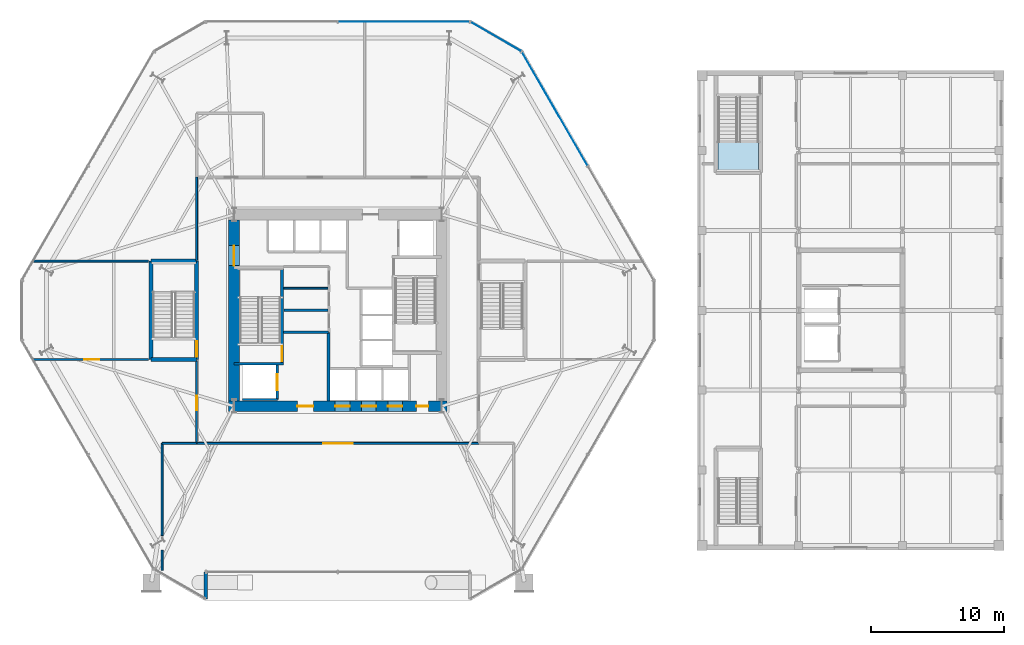
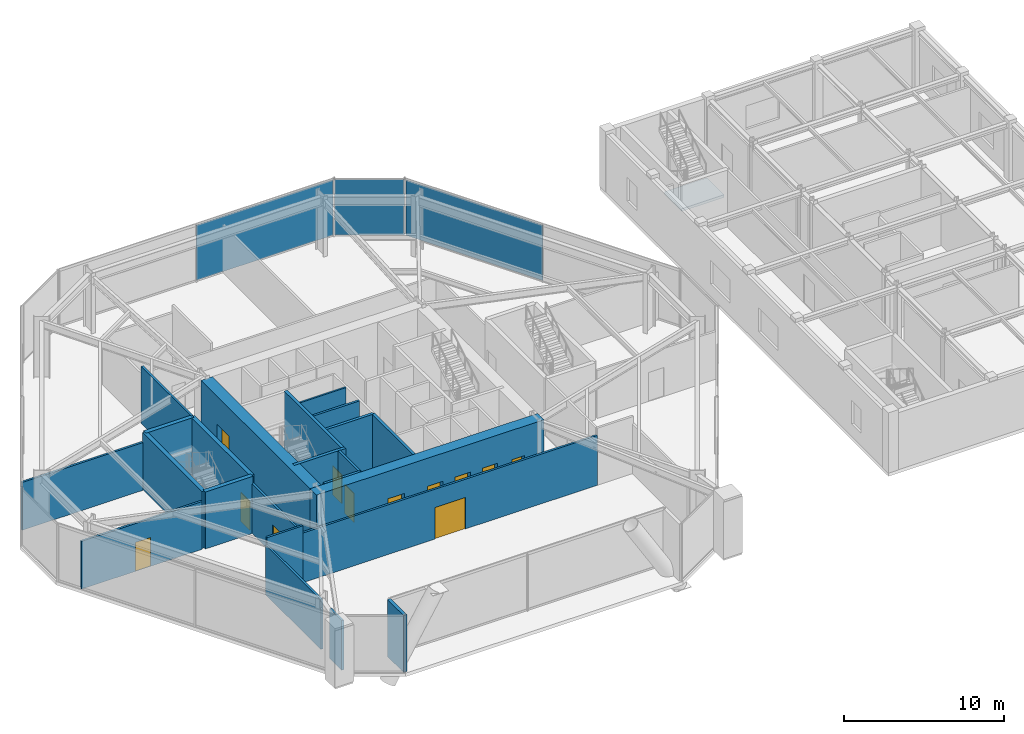
# One storey, part 15 of 23: 23 walls, 12 doors, 3 plates, 1 slab, 12 openings, 4 elements without a shape of their own.
"""IFC4 building model written with IfcOpenShell, lengths in metres."""

from ifc_helpers import new_model, si_unit, direction, frame, frame_2d, origin, origin_2d, place, context, subcontext, project, spatial, polyline, rectangle, outline, extrude, material, layer, layer_set, type_object, element, fill, aggregate, save


model = new_model("IFC4")

# Units and contexts
model_context = context("Model", 3, precision=1e-05, world=origin(), true_north=direction((0.0, 1.0)))
body_context = subcontext(model_context, "Body", "Model", "MODEL_VIEW")
ifc_project = project(units=[si_unit("LENGTHUNIT", "METRE"), si_unit("AREAUNIT", "SQUARE_METRE"), si_unit("VOLUMEUNIT", "CUBIC_METRE"), si_unit("PLANEANGLEUNIT", "RADIAN"), si_unit("MASSUNIT", "GRAM", prefix="KILO")], contexts=[model_context])

# Site, building, storey
site_placement = place(None, origin())
site = spatial("IfcSite", under=ifc_project, at=site_placement, CompositionType="ELEMENT")
building_placement = place(site_placement, origin())
building = spatial("IfcBuilding", under=site, at=building_placement, Name="Kranzbogen Civic Tower", CompositionType="ELEMENT")
storey_placement = place(building_placement, frame((0.0, 0.0, 9.800048828125)))
storey = spatial("IfcBuildingStorey", under=building, at=storey_placement, Name="L02", CompositionType="ELEMENT", Elevation=9.800048828125)

# Curtain wall, plate
ifc_material_1 = material(Name="Pale Anodised Aluminium", Category="aluminium")
ifc_layer_1 = layer(ifc_material_1, 0.219970703125, Name="Pale Anodised Aluminium")
ifc_layer_set_1 = layer_set([ifc_layer_1], Name="Pale Anodised Aluminium")
curtain_wall_type_1 = type_object("IfcCurtainWallType", Name="Chamfer Facet Stick Curtain Wall System CW-06", PredefinedType="USERDEFINED", material=ifc_layer_set_1)
curtain_wall_1_placement = place(storey_placement, origin())
curtain_wall_1 = element("IfcCurtainWall", 1, at=curtain_wall_1_placement, inside=storey, type_object=curtain_wall_type_1, Name="L02 curtain wall CW-L02-C1", ObjectType="STICK CURTAIN WALL", PredefinedType="USERDEFINED")
ifc_material_2 = material(Name="Low-E Triple Glazing Glass", Category="glass")
ifc_layer_2 = layer(ifc_material_2, 0.02587890625, Name="Low-E Triple Glazing Glass")
ifc_layer_set_2 = layer_set([ifc_layer_2], Name="Low-E Triple Glazing Glass")
plate_type_1 = type_object("IfcPlateType", Name="Insulated Low-E Glazing Panel 26 mm", PredefinedType="CURTAIN_PANEL", material=ifc_layer_set_2)
plate_1_placement = place(storey_placement, frame((36.866943359375, 45.554443359375, 0.06005859375), z_axis=(0.0, 0.0, 1.0), x_axis=(-0.865992001897, 0.500057849305, 0.0)))
plate_1 = element("IfcPlate", 2, at=plate_1_placement, type_object=plate_type_1, Name="CW-06 panel 1.1", PredefinedType="CURTAIN_PANEL", context=body_context, shape_type="SweptSolid", body=[
    extrude(rectangle(XDim=4.353515625, YDim=0.028076171875, at=origin_2d()), origin(), (0.0, 0.0, 1.0), 4.219970703125),
])
aggregate(curtain_wall_1, [plate_1])

ifc_layer_3 = layer(ifc_material_1, 0.219970703125, Name="Pale Anodised Aluminium")
ifc_layer_set_3 = layer_set([ifc_layer_3], Name="Pale Anodised Aluminium")
curtain_wall_type_2 = type_object("IfcCurtainWallType", Name="Podium Stick Curtain Wall System CW-01", PredefinedType="USERDEFINED", material=ifc_layer_set_3)
curtain_wall_2_placement = place(storey_placement, origin())
curtain_wall_2 = element("IfcCurtainWall", 3, at=curtain_wall_2_placement, inside=storey, type_object=curtain_wall_type_2, Name="L02 curtain wall CW-L02-F1", ObjectType="STICK CURTAIN WALL", PredefinedType="USERDEFINED")
ifc_layer_4 = layer(ifc_material_2, 0.035888671875, Name="Low-E Triple Glazing Glass")
ifc_layer_set_4 = layer_set([ifc_layer_4], Name="Low-E Triple Glazing Glass")
plate_type_2 = type_object("IfcPlateType", Name="Insulated Low-E Glazing Panel 36 mm", PredefinedType="CURTAIN_PANEL", material=ifc_layer_set_4)
plate_2_placement = place(storey_placement, frame((41.2939453125, 40.123291015625, 0.06005859375), z_axis=(0.0, 0.0, 1.0), x_axis=(-0.500005767433, 0.86602207393, 0.0)))
plate_2 = element("IfcPlate", 4, at=plate_2_placement, type_object=plate_type_2, Name="CW-01 panel 2.1", PredefinedType="CURTAIN_PANEL", context=body_context, shape_type="SweptSolid", body=[
    extrude(rectangle(XDim=9.83984375, YDim=0.028076171875, at=origin_2d()), origin(), (0.0, 0.0, 1.0), 4.219970703125),
])
aggregate(curtain_wall_2, [plate_2])

curtain_wall_3_placement = place(storey_placement, origin())
curtain_wall_3 = element("IfcCurtainWall", 5, at=curtain_wall_3_placement, inside=storey, type_object=curtain_wall_type_2, Name="L02 curtain wall CW-L02-F2", ObjectType="STICK CURTAIN WALL", PredefinedType="USERDEFINED")
plate_3_placement = place(storey_placement, frame((29.949951171875, 46.673095703125, 0.06005859375), z_axis=(0.0, 0.0, 1.0), x_axis=(-1.0, 0.0, 0.0)))
plate_3 = element("IfcPlate", 6, at=plate_3_placement, type_object=plate_type_2, Name="CW-01 panel 1.1", PredefinedType="CURTAIN_PANEL", context=body_context, shape_type="SweptSolid", body=[
    extrude(rectangle(XDim=9.840087890625, YDim=0.028076171875, at=origin_2d()), origin(), (0.0, 0.0, 1.0), 4.219970703125),
])
aggregate(curtain_wall_3, [plate_3])

# Stair, slab
ifc_material_3 = material(Name="Precast concrete C40/50", Category="concrete")
stair_type = type_object("IfcStairType", Name="Health Centre Escape Dogleg Stair 1450", PredefinedType="HALF_TURN_STAIR", material=ifc_material_3)
stair_placement = place(storey_placement, origin())
stair = element("IfcStair", 7, at=stair_placement, inside=storey, type_object=stair_type, Name="L02 Health Centre Escape Stair 2", PredefinedType="HALF_TURN_STAIR")
ifc_layer_5 = layer(ifc_material_3, 0.199951171875, Name="Precast concrete C40/50")
ifc_layer_set_5 = layer_set([ifc_layer_5], Name="Precast concrete C40/50")
slab_type = type_object("IfcSlabType", Name="Precast Concrete Stair Landing Slab 200 mm", PredefinedType="LANDING", material=ifc_layer_set_5)
slab_placement = place(storey_placement, frame((0.0, 0.0, 2.099853515625)))
slab = element("IfcSlab", 8, at=slab_placement, type_object=slab_type, Name="ST-H2 landing 1", PredefinedType="LANDING", context=body_context, shape_type="SweptSolid", body=[
    extrude(outline(polyline([(53.550048828125, 37.639892578125), (53.550048828125, 35.5), (56.60009765625, 35.5), (56.60009765625, 37.639892578125), (53.550048828125, 37.639892578125)])), origin(), (0.0, 0.0, 1.0), 0.2001953125),
])
aggregate(stair, [slab])

# Wall, opening, door
ifc_material_4 = material(Name="Double-Stud Acoustic Gypsum Partition")
ifc_layer_6 = layer(ifc_material_4, 0.14990234375, Name="Double-Stud Acoustic Gypsum Partition")
ifc_layer_set_6 = layer_set([ifc_layer_6], Name="Double-Stud Acoustic Gypsum Partition")
wall_type_1 = type_object("IfcWallType", Name="Acoustic Corridor and Clinical Partition 150 mm", PredefinedType="PARTITIONING", material=ifc_layer_set_6)
wall_1_placement = place(storey_placement, frame((14.39990234375, 15.0, 0.0), z_axis=(0.0, 0.0, 1.0), x_axis=(1.0, 0.0, 0.0)))
wall_1 = element("IfcWall", 9, at=wall_1_placement, inside=storey, type_object=wall_type_1, Name="L02 podium concourse S wall", PredefinedType="PARTITIONING", context=body_context, shape_type="SweptSolid", body=[
    extrude(rectangle(XDim=21.2001953125, YDim=0.14990234375, at=frame_2d((10.60009765625, 0.0))), origin(), (0.0, 0.0, 1.0), 3.7900390625),
])
opening_1_placement = place(wall_1_placement, frame((9.5, 0.0, 0.0)))
opening_1 = element("IfcOpeningElement", 10, at=opening_1_placement, cuts=wall_1, Name="Opening D-CHAM22", PredefinedType="OPENING", context=body_context, shape_type="SweptSolid", body=[
    extrude(rectangle(XDim=2.199951171875, YDim=2.39990234375, at=frame_2d((1.10009765625, 1.199951171875))), frame((0.0, 0.0849609375, 0.0), z_axis=(0.0, -1.0, 0.0), x_axis=(1.0, 0.0, 0.0)), (0.0, 0.0, 1.0), 0.169921875),
])
ifc_material_5 = material(Name="Oak Timber Acoustic Assembly", Category="wood")
door_type_1 = type_object("IfcDoorType", Name="Council Chamber Acoustic Double Door 2200x2400", OperationType="DOUBLE_DOOR_SINGLE_SWING", PredefinedType="DOOR", material=ifc_material_5)
door_1_placement = place(opening_1_placement, origin())
door_1 = element("IfcDoor", 11, at=door_1_placement, inside=storey, type_object=door_type_1, Name="L02 Municipal Council Chamber door", OperationType="DOUBLE_DOOR_SINGLE_SWING", OverallHeight=2.39990234375, OverallWidth=2.199951171875, PredefinedType="DOOR", context=body_context, shape_type="SweptSolid", body=[
    extrude(rectangle(XDim=2.199951171875, YDim=2.39990234375, at=frame_2d((1.10009765625, 1.199951171875))), frame((0.0, 0.02490234375, 0.0), z_axis=(0.0, -1.0, 0.0), x_axis=(1.0, 0.0, 0.0)), (0.0, 0.0, 1.0), 0.050048828125),
])
fill(opening_1, door_1)

wall_2_placement = place(storey_placement, frame((14.39990234375, 15.0, 0.0), z_axis=(0.0, 0.0, 1.0), x_axis=(0.0, 1.0, 0.0)))
wall_2 = element("IfcWall", 12, at=wall_2_placement, inside=storey, type_object=wall_type_1, Name="L02 podium concourse W1 wall", PredefinedType="PARTITIONING", context=body_context, shape_type="SweptSolid", body=[
    extrude(rectangle(XDim=6.25, YDim=0.14990234375, at=frame_2d((3.125, 0.0))), origin(), (0.0, 0.0, 1.0), 3.7900390625),
])
opening_2_placement = place(wall_2_placement, frame((2.486083984375, 0.0, 0.0)))
opening_2 = element("IfcOpeningElement", 13, at=opening_2_placement, cuts=wall_2, Name="Opening D-COR60", PredefinedType="OPENING", context=body_context, shape_type="SweptSolid", body=[
    extrude(rectangle(XDim=1.10009765625, YDim=2.199951171875, at=frame_2d((0.550048828125, 1.10009765625))), frame((0.0, 0.0849609375, 0.0), z_axis=(0.0, -1.0, 0.0), x_axis=(1.0, 0.0, 0.0)), (0.0, 0.0, 1.0), 0.169921875),
])
ifc_material_6 = material(Name="Oak Timber and Fire Core", Category="wood")
door_type_2 = type_object("IfcDoorType", Name="Corridor Acoustic Fire Door 1100x2200", OperationType="NOTDEFINED", PredefinedType="DOOR", material=ifc_material_6)
door_2_placement = place(opening_2_placement, origin())
door_2 = element("IfcDoor", 14, at=door_2_placement, inside=storey, type_object=door_type_2, Name="L02 Mayor Protocol Suite door", OperationType="SINGLE_SWING_RIGHT", OverallHeight=2.199951171875, OverallWidth=1.10009765625, PredefinedType="DOOR", context=body_context, shape_type="SweptSolid", body=[
    extrude(rectangle(XDim=1.10009765625, YDim=2.199951171875, at=frame_2d((0.550048828125, 1.10009765625))), frame((0.0, 0.02490234375, 0.0), z_axis=(0.0, -1.0, 0.0), x_axis=(1.0, 0.0, 0.0)), (0.0, 0.0, 1.0), 0.050048828125),
])
fill(opening_2, door_2)

# Walls
wall_3_placement = place(storey_placement, frame((14.39990234375, 28.75, 0.0), z_axis=(0.0, 0.0, 1.0), x_axis=(0.0, 1.0, 0.0)))
element("IfcWall", 15, at=wall_3_placement, inside=storey, type_object=wall_type_1, Name="L02 podium concourse W2 wall", PredefinedType="PARTITIONING", context=body_context, shape_type="SweptSolid", body=[
    extrude(rectangle(XDim=6.25, YDim=0.14990234375, at=frame_2d((3.125, 0.0))), origin(), (0.0, 0.0, 1.0), 4.33984375),
])
wall_4_placement = place(storey_placement, frame((11.800048828125, 5.469970703125, 0.0), z_axis=(0.0, 0.0, 1.0), x_axis=(0.0, 1.0, 0.0)))
element("IfcWall", 16, at=wall_4_placement, inside=storey, type_object=wall_type_1, Name="L02 podium partition 04 part 1", PredefinedType="PARTITIONING", context=body_context, shape_type="SweptSolid", body=[
    extrude(rectangle(XDim=1.52197265625, YDim=0.14990234375, at=frame_2d((0.760986328125, 0.0))), origin(), (0.0, 0.0, 1.0), 3.7900390625),
])
wall_5_placement = place(storey_placement, frame((11.800048828125, 8.080078125, 0.0), z_axis=(0.0, 0.0, 1.0), x_axis=(0.0, 1.0, 0.0)))
element("IfcWall", 17, at=wall_5_placement, inside=storey, type_object=wall_type_1, Name="L02 podium partition 04 part 2", PredefinedType="PARTITIONING", context=body_context, shape_type="SweptSolid", body=[
    extrude(rectangle(XDim=6.919921875, YDim=0.14990234375, at=frame_2d((3.4599609375, 0.0))), origin(), (0.0, 0.0, 1.0), 3.7900390625),
])
wall_6_placement = place(storey_placement, frame((11.800048828125, 15.0, 0.0), z_axis=(0.0, 0.0, 1.0), x_axis=(1.0, 0.0, 0.0)))
element("IfcWall", 18, at=wall_6_placement, inside=storey, type_object=wall_type_1, Name="L02 podium partition 06", PredefinedType="PARTITIONING", context=body_context, shape_type="SweptSolid", body=[
    extrude(rectangle(XDim=2.599853515625, YDim=0.14990234375, at=frame_2d((1.2998046875, 0.0))), origin(), (0.0, 0.0, 1.0), 4.33984375),
])

# Wall, opening, door
wall_7_placement = place(storey_placement, frame((2.080078125, 21.300048828125, 0.0), z_axis=(0.0, 0.0, 1.0), x_axis=(1.0, 0.0, 0.0)))
wall_7 = element("IfcWall", 19, at=wall_7_placement, inside=storey, type_object=wall_type_1, Name="L02 podium partition 08", PredefinedType="PARTITIONING", context=body_context, shape_type="SweptSolid", body=[
    extrude(rectangle(XDim=8.68994140625, YDim=0.14990234375, at=frame_2d((4.344970703125, 0.0))), origin(), (0.0, 0.0, 1.0), 3.639892578125),
])
opening_3_placement = place(wall_7_placement, frame((3.884033203125, 0.0, 0.0)))
opening_3 = element("IfcOpeningElement", 20, at=opening_3_placement, cuts=wall_7, Name="Opening D-COR60", PredefinedType="OPENING", context=body_context, shape_type="SweptSolid", body=[
    extrude(rectangle(XDim=1.10009765625, YDim=2.199951171875, at=frame_2d((0.550048828125, 1.10009765625))), frame((0.0, 0.0849609375, 0.0), z_axis=(0.0, -1.0, 0.0), x_axis=(1.0, 0.0, 0.0)), (0.0, 0.0, 1.0), 0.169921875),
])
door_3_placement = place(opening_3_placement, origin())
door_3 = element("IfcDoor", 21, at=door_3_placement, inside=storey, type_object=door_type_2, Name="L02 Press Preparation Lounge door", OperationType="SINGLE_SWING_LEFT", OverallHeight=2.199951171875, OverallWidth=1.10009765625, PredefinedType="DOOR", context=body_context, shape_type="SweptSolid", body=[
    extrude(rectangle(XDim=1.10009765625, YDim=2.199951171875, at=frame_2d((0.550048828125, 1.10009765625))), frame((0.0, 0.02490234375, 0.0), z_axis=(0.0, -1.0, 0.0), x_axis=(1.0, 0.0, 0.0)), (0.0, 0.0, 1.0), 0.050048828125),
])
fill(opening_3, door_3)

# Walls
wall_8_placement = place(storey_placement, frame((2.080078125, 28.699951171875, 0.0), z_axis=(0.0, 0.0, 1.0), x_axis=(1.0, 0.0, 0.0)))
element("IfcWall", 22, at=wall_8_placement, inside=storey, type_object=wall_type_1, Name="L02 podium partition 09", PredefinedType="PARTITIONING", context=body_context, shape_type="SweptSolid", body=[
    extrude(rectangle(XDim=8.68994140625, YDim=0.14990234375, at=frame_2d((4.344970703125, 0.0))), origin(), (0.0, 0.0, 1.0), 3.639892578125),
])
ifc_material_7 = material(Name="Insulated Metal-Stud Gypsum Partition")
ifc_layer_7 = layer(ifc_material_7, 0.125, Name="Insulated Metal-Stud Gypsum Partition")
ifc_layer_set_7 = layer_set([ifc_layer_7], Name="Insulated Metal-Stud Gypsum Partition")
wall_type_2 = type_object("IfcWallType", Name="Acoustic Inter-Room Partition 125 mm", PredefinedType="PARTITIONING", material=ifc_layer_set_7)
wall_9_placement = place(storey_placement, frame((20.949951171875, 26.659912109375, 0.0), z_axis=(0.0, 0.0, 1.0), x_axis=(1.0, 0.0, 0.0)))
element("IfcWall", 23, at=wall_9_placement, inside=storey, type_object=wall_type_2, Name="L02 core auxiliary partition 2", PredefinedType="PARTITIONING", context=body_context, shape_type="SweptSolid", body=[
    extrude(rectangle(XDim=3.300048828125, YDim=0.125, at=frame_2d((1.64990234375, 0.0))), origin(), (0.0, 0.0, 1.0), 4.33984375),
])

# Wall, openings, doors
ifc_material_8 = material(Name="Concrete C55/67", Category="concrete")
ifc_layer_8 = layer(ifc_material_8, 0.800048828125, Name="Concrete C55/67")
ifc_layer_set_8 = layer_set([ifc_layer_8], Name="Concrete C55/67")
wall_type_3 = type_object("IfcWallType", Name="Central Core Shear Wall 800 mm", PredefinedType="SHEAR", material=ifc_layer_set_8)
wall_10_placement = place(storey_placement, frame((16.800048828125, 17.800048828125, 0.0), z_axis=(0.0, 0.0, 1.0), x_axis=(1.0, 0.0, 0.0)))
wall_10 = element("IfcWall", 24, at=wall_10_placement, inside=storey, type_object=wall_type_3, Name="L02 central core South shear wall", PredefinedType="SHEAR", context=body_context, shape_type="SweptSolid", body=[
    extrude(rectangle(XDim=16.39990234375, YDim=0.800048828125, at=frame_2d((8.199951171875, 0.0))), origin(), (0.0, 0.0, 1.0), 4.33984375),
])
opening_4_placement = place(wall_10_placement, frame((5.14990234375, 0.0, 0.0)))
opening_4 = element("IfcOpeningElement", 25, at=opening_4_placement, cuts=wall_10, Name="Opening D-EX120", PredefinedType="OPENING", context=body_context, shape_type="SweptSolid", body=[
    extrude(rectangle(XDim=1.199951171875, YDim=2.25, at=frame_2d((0.60009765625, 1.125))), frame((0.0, 0.41015625, 0.0), z_axis=(0.0, -1.0, 0.0), x_axis=(1.0, 0.0, 0.0)), (0.0, 0.0, 1.0), 0.820068359375),
])
opening_5_placement = place(wall_10_placement, frame((14.10009765625, 0.0, 0.0)))
opening_5 = element("IfcOpeningElement", 26, at=opening_5_placement, cuts=wall_10, Name="Opening D-WC90", PredefinedType="OPENING", context=body_context, shape_type="SweptSolid", body=[
    extrude(rectangle(XDim=0.89990234375, YDim=2.10009765625, at=frame_2d((0.449951171875, 1.050048828125))), frame((0.0, 0.41015625, 0.0), z_axis=(0.0, -1.0, 0.0), x_axis=(1.0, 0.0, 0.0)), (0.0, 0.0, 1.0), 0.820068359375),
])
opening_6_placement = place(wall_10_placement, frame((8.0, 0.0, 0.0)))
opening_6 = element("IfcOpeningElement", 27, at=opening_6_placement, cuts=wall_10, Name="Opening LD-LP-01", PredefinedType="OPENING", context=body_context, shape_type="SweptSolid", body=[
    extrude(rectangle(XDim=1.10009765625, YDim=2.199951171875, at=frame_2d((0.550048828125, 1.10009765625))), frame((0.0, 0.41015625, 0.0), z_axis=(0.0, -1.0, 0.0), x_axis=(1.0, 0.0, 0.0)), (0.0, 0.0, 1.0), 0.820068359375),
])
opening_7_placement = place(wall_10_placement, frame((9.97509765625, 0.0, 0.0)))
opening_7 = element("IfcOpeningElement", 28, at=opening_7_placement, cuts=wall_10, Name="Opening LD-LP-02", PredefinedType="OPENING", context=body_context, shape_type="SweptSolid", body=[
    extrude(rectangle(XDim=1.10009765625, YDim=2.199951171875, at=frame_2d((0.550048828125, 1.10009765625))), frame((0.0, 0.41015625, 0.0), z_axis=(0.0, -1.0, 0.0), x_axis=(1.0, 0.0, 0.0)), (0.0, 0.0, 1.0), 0.820068359375),
])
opening_8_placement = place(wall_10_placement, frame((11.949951171875, 0.0, 0.0)))
opening_8 = element("IfcOpeningElement", 29, at=opening_8_placement, cuts=wall_10, Name="Opening LD-LP-03", PredefinedType="OPENING", context=body_context, shape_type="SweptSolid", body=[
    extrude(rectangle(XDim=1.10009765625, YDim=2.199951171875, at=frame_2d((0.550048828125, 1.10009765625))), frame((0.0, 0.41015625, 0.0), z_axis=(0.0, -1.0, 0.0), x_axis=(1.0, 0.0, 0.0)), (0.0, 0.0, 1.0), 0.820068359375),
])
ifc_material_9 = material(Name="Steel S355", Category="steel")
door_type_3 = type_object("IfcDoorType", Name="Exit Passageway Fire Door 1200x2250", OperationType="NOTDEFINED", PredefinedType="DOOR", material=ifc_material_9)
door_4_placement = place(opening_4_placement, origin())
door_4 = element("IfcDoor", 30, at=door_4_placement, inside=storey, type_object=door_type_3, Name="L02 West firefighting lobby corridor door", OperationType="SINGLE_SWING_LEFT", OverallHeight=2.25, OverallWidth=1.199951171875, PredefinedType="DOOR", context=body_context, shape_type="SweptSolid", body=[
    extrude(rectangle(XDim=1.199951171875, YDim=2.25, at=frame_2d((0.60009765625, 1.125))), frame((0.0, 0.02490234375, 0.0), z_axis=(0.0, -1.0, 0.0), x_axis=(1.0, 0.0, 0.0)), (0.0, 0.0, 1.0), 0.050048828125),
])
fill(opening_4, door_4)
door_type_4 = type_object("IfcDoorType", Name="Passenger Lift Sliding Landing Door 1100x2200", OperationType="DOUBLE_DOOR_SLIDING", PredefinedType="DOOR", material=ifc_material_1)
door_5_placement = place(opening_6_placement, origin())
door_5 = element("IfcDoor", 31, at=door_5_placement, inside=storey, type_object=door_type_4, Name="L02 lift LP-01 sliding landing door", OperationType="DOUBLE_DOOR_SLIDING", OverallHeight=2.199951171875, OverallWidth=1.10009765625, PredefinedType="DOOR", context=body_context, shape_type="SweptSolid", body=[
    extrude(rectangle(XDim=1.10009765625, YDim=2.199951171875, at=frame_2d((0.550048828125, 1.10009765625))), frame((0.0, 0.02490234375, 0.0), z_axis=(0.0, -1.0, 0.0), x_axis=(1.0, 0.0, 0.0)), (0.0, 0.0, 1.0), 0.050048828125),
])
fill(opening_6, door_5)
door_6_placement = place(opening_7_placement, origin())
door_6 = element("IfcDoor", 32, at=door_6_placement, inside=storey, type_object=door_type_4, Name="L02 lift LP-02 sliding landing door", OperationType="DOUBLE_DOOR_SLIDING", OverallHeight=2.199951171875, OverallWidth=1.10009765625, PredefinedType="DOOR", context=body_context, shape_type="SweptSolid", body=[
    extrude(rectangle(XDim=1.10009765625, YDim=2.199951171875, at=frame_2d((0.550048828125, 1.10009765625))), frame((0.0, 0.02490234375, 0.0), z_axis=(0.0, -1.0, 0.0), x_axis=(1.0, 0.0, 0.0)), (0.0, 0.0, 1.0), 0.050048828125),
])
fill(opening_7, door_6)
door_7_placement = place(opening_8_placement, origin())
door_7 = element("IfcDoor", 33, at=door_7_placement, inside=storey, type_object=door_type_4, Name="L02 lift LP-03 sliding landing door", OperationType="DOUBLE_DOOR_SLIDING", OverallHeight=2.199951171875, OverallWidth=1.10009765625, PredefinedType="DOOR", context=body_context, shape_type="SweptSolid", body=[
    extrude(rectangle(XDim=1.10009765625, YDim=2.199951171875, at=frame_2d((0.550048828125, 1.10009765625))), frame((0.0, 0.02490234375, 0.0), z_axis=(0.0, -1.0, 0.0), x_axis=(1.0, 0.0, 0.0)), (0.0, 0.0, 1.0), 0.050048828125),
])
fill(opening_8, door_7)
ifc_material_10 = material(Name="Moisture-Resistant Laminate")
door_type_5 = type_object("IfcDoorType", Name="Standard Restroom and Store Door 900x2100", OperationType="NOTDEFINED", PredefinedType="DOOR", material=ifc_material_10)
door_8_placement = place(opening_5_placement, origin())
door_8 = element("IfcDoor", 34, at=door_8_placement, inside=storey, type_object=door_type_5, Name="L02 East electrical riser access door", OperationType="SINGLE_SWING_RIGHT", OverallHeight=2.10009765625, OverallWidth=0.89990234375, PredefinedType="DOOR", context=body_context, shape_type="SweptSolid", body=[
    extrude(rectangle(XDim=0.89990234375, YDim=2.10009765625, at=frame_2d((0.449951171875, 1.050048828125))), frame((0.0, 0.02490234375, 0.0), z_axis=(0.0, -1.0, 0.0), x_axis=(1.0, 0.0, 0.0)), (0.0, 0.0, 1.0), 0.050048828125),
])
fill(opening_5, door_8)

# Wall, opening, door
wall_11_placement = place(storey_placement, frame((17.199951171875, 31.800048828125, 0.0), z_axis=(0.0, 0.0, 1.0), x_axis=(0.0, -1.0, 0.0)))
wall_11 = element("IfcWall", 35, at=wall_11_placement, inside=storey, type_object=wall_type_3, Name="L02 central core West shear wall", PredefinedType="SHEAR", context=body_context, shape_type="SweptSolid", body=[
    extrude(rectangle(XDim=13.60009765625, YDim=0.800048828125, at=frame_2d((6.800048828125, 0.0))), origin(), (0.0, 0.0, 1.0), 4.33984375),
])
opening_9_placement = place(wall_11_placement, frame((1.949951171875, 0.0, 0.0)))
opening_9 = element("IfcOpeningElement", 36, at=opening_9_placement, cuts=wall_11, Name="Opening D-DBL15", PredefinedType="OPENING", context=body_context, shape_type="SweptSolid", body=[
    extrude(rectangle(XDim=1.5, YDim=2.199951171875, at=frame_2d((0.75, 1.10009765625))), frame((0.0, 0.41015625, 0.0), z_axis=(0.0, -1.0, 0.0), x_axis=(1.0, 0.0, 0.0)), (0.0, 0.0, 1.0), 0.820068359375),
])
ifc_material_11 = material(Name="Anodised Bronze and Glass", Category="glass")
door_type_6 = type_object("IfcDoorType", Name="Civic Lobby Double Door 1500x2200", OperationType="DOUBLE_DOOR_SINGLE_SWING", PredefinedType="DOOR", material=ifc_material_11)
door_9_placement = place(opening_9_placement, origin())
door_9 = element("IfcDoor", 37, at=door_9_placement, inside=storey, type_object=door_type_6, Name="L02 Central Lift Lobby West concourse door", OperationType="DOUBLE_DOOR_SINGLE_SWING", OverallHeight=2.199951171875, OverallWidth=1.5, PredefinedType="DOOR", context=body_context, shape_type="SweptSolid", body=[
    extrude(rectangle(XDim=1.5, YDim=2.199951171875, at=frame_2d((0.75, 1.10009765625))), frame((0.0, 0.02490234375, 0.0), z_axis=(0.0, -1.0, 0.0), x_axis=(1.0, 0.0, 0.0)), (0.0, 0.0, 1.0), 0.050048828125),
])
fill(opening_9, door_9)

ifc_material_12 = material(Name="Concrete C45/55", Category="concrete")
ifc_layer_9 = layer(ifc_material_12, 0.219970703125, Name="Concrete C45/55")
ifc_layer_set_9 = layer_set([ifc_layer_9], Name="Concrete C45/55")
wall_type_4 = type_object("IfcWallType", Name="Core Internal Stair Structural Wall 220 mm", PredefinedType="SOLIDWALL", material=ifc_layer_set_9)
wall_12_placement = place(storey_placement, frame((20.81005859375, 20.989990234375, 0.0), z_axis=(0.0, 0.0, 1.0), x_axis=(0.0, 1.0, 0.0)))
wall_12 = element("IfcWall", 38, at=wall_12_placement, inside=storey, type_object=wall_type_4, Name="L02 ST-T1 East structural stair wall", PredefinedType="SOLIDWALL", context=body_context, shape_type="SweptSolid", body=[
    extrude(rectangle(XDim=7.219970703125, YDim=0.219970703125, at=frame_2d((3.60986328125, 0.0))), origin(), (0.0, 0.0, 1.0), 4.33984375),
])
opening_10_placement = place(wall_12_placement, frame((0.179931640625, 0.0, 0.0)))
opening_10 = element("IfcOpeningElement", 39, at=opening_10_placement, cuts=wall_12, Name="Opening D-ST90", PredefinedType="OPENING", context=body_context, shape_type="SweptSolid", body=[
    extrude(rectangle(XDim=1.14990234375, YDim=2.199951171875, at=frame_2d((0.574951171875, 1.10009765625))), frame((0.0, 0.1201171875, 0.0), z_axis=(0.0, -1.0, 0.0), x_axis=(1.0, 0.0, 0.0)), (0.0, 0.0, 1.0), 0.239990234375),
])
door_type_7 = type_object("IfcDoorType", Name="Pressurized Stair and Lobby Fire Door 1150x2200", OperationType="NOTDEFINED", PredefinedType="DOOR", material=ifc_material_9)
door_10_placement = place(opening_10_placement, origin())
door_10 = element("IfcDoor", 40, at=door_10_placement, inside=storey, type_object=door_type_7, Name="L02 Stair ST-T1 fire door", OperationType="SINGLE_SWING_LEFT", OverallHeight=2.199951171875, OverallWidth=1.14990234375, PredefinedType="DOOR", context=body_context, shape_type="SweptSolid", body=[
    extrude(rectangle(XDim=1.14990234375, YDim=2.199951171875, at=frame_2d((0.574951171875, 1.10009765625))), frame((0.0, 0.02490234375, 0.0), z_axis=(0.0, -1.0, 0.0), x_axis=(1.0, 0.0, 0.0)), (0.0, 0.0, 1.0), 0.050048828125),
])
fill(opening_10, door_10)

# Walls
wall_13_placement = place(storey_placement, frame((17.199951171875, 20.989990234375, 0.0), z_axis=(0.0, 0.0, 1.0), x_axis=(1.0, 0.0, 0.0)))
element("IfcWall", 41, at=wall_13_placement, inside=storey, type_object=wall_type_4, Name="L02 ST-T1 South structural stair wall", PredefinedType="SOLIDWALL", context=body_context, shape_type="SweptSolid", body=[
    extrude(rectangle(XDim=3.719970703125, YDim=0.219970703125, at=frame_2d((1.85986328125, 0.0))), origin(), (0.0, 0.0, 1.0), 4.33984375),
])
ifc_material_13 = material(Name="Gypsum Fireboard and Concrete Block", Category="concrete")
ifc_layer_10 = layer(ifc_material_13, 0.199951171875, Name="Gypsum Fireboard and Concrete Block")
ifc_layer_set_10 = layer_set([ifc_layer_10], Name="Gypsum Fireboard and Concrete Block")
wall_type_5 = type_object("IfcWallType", Name="Fire-Rated Exit Passageway and Stair Wall 200 mm", PredefinedType="PARTITIONING", material=ifc_layer_set_10)
wall_14_placement = place(storey_placement, frame((24.300048828125, 18.199951171875, 0.0), z_axis=(0.0, 0.0, 1.0), x_axis=(0.0, 1.0, 0.0)))
element("IfcWall", 42, at=wall_14_placement, inside=storey, type_object=wall_type_5, Name="L02 West firefighting lobby East wall", PredefinedType="PARTITIONING", context=body_context, shape_type="SweptSolid", body=[
    extrude(rectangle(XDim=5.150146484375, YDim=0.199951171875, at=frame_2d((2.5751953125, 0.0))), origin(), (0.0, 0.0, 1.0), 4.33984375),
])
wall_15_placement = place(storey_placement, frame((20.919921875, 23.35009765625, 0.0), z_axis=(0.0, 0.0, 1.0), x_axis=(1.0, 0.0, 0.0)))
element("IfcWall", 43, at=wall_15_placement, inside=storey, type_object=wall_type_5, Name="L02 West firefighting lobby North wall", PredefinedType="PARTITIONING", context=body_context, shape_type="SweptSolid", body=[
    extrude(rectangle(XDim=3.380126953125, YDim=0.199951171875, at=frame_2d((1.68994140625, 0.0))), origin(), (0.0, 0.0, 1.0), 4.33984375),
])

# Wall, opening, door
ifc_material_14 = material(Name="Gypsum Fireboard Shaftliner")
ifc_layer_11 = layer(ifc_material_14, 0.175048828125, Name="Gypsum Fireboard Shaftliner")
ifc_layer_set_11 = layer_set([ifc_layer_11], Name="Gypsum Fireboard Shaftliner")
wall_type_6 = type_object("IfcWallType", Name="Fire-Rated Lift and Service Shaft Wall 175 mm", PredefinedType="PARTITIONING", material=ifc_layer_set_11)
wall_16_placement = place(storey_placement, frame((20.449951171875, 18.300048828125, 0.0), z_axis=(0.0, 0.0, 1.0), x_axis=(0.0, 1.0, 0.0)))
wall_16 = element("IfcWall", 44, at=wall_16_placement, inside=storey, type_object=wall_type_6, Name="L02 lift FF-01 landing wall", PredefinedType="PARTITIONING", context=body_context, shape_type="SweptSolid", body=[
    extrude(rectangle(XDim=2.599853515625, YDim=0.175048828125, at=frame_2d((1.2998046875, 0.0))), origin(), (0.0, 0.0, 1.0), 4.33984375),
])
opening_11_placement = place(wall_16_placement, frame((0.699951171875, 0.0, 0.0)))
opening_11 = element("IfcOpeningElement", 45, at=opening_11_placement, cuts=wall_16, Name="Opening LD-FF-01", PredefinedType="OPENING", context=body_context, shape_type="SweptSolid", body=[
    extrude(rectangle(XDim=1.199951171875, YDim=2.199951171875, at=frame_2d((0.60009765625, 1.10009765625))), frame((0.0, 0.09765625, 0.0), z_axis=(0.0, -1.0, 0.0), x_axis=(1.0, 0.0, 0.0)), (0.0, 0.0, 1.0), 0.195068359375),
])
door_type_8 = type_object("IfcDoorType", Name="Firefighting and Stretcher Lift Sliding Landing Door 1200x2200", OperationType="DOUBLE_DOOR_SLIDING", PredefinedType="DOOR", material=ifc_material_1)
door_11_placement = place(opening_11_placement, origin())
door_11 = element("IfcDoor", 46, at=door_11_placement, inside=storey, type_object=door_type_8, Name="L02 lift FF-01 sliding landing door", OperationType="DOUBLE_DOOR_SLIDING", OverallHeight=2.199951171875, OverallWidth=1.199951171875, PredefinedType="DOOR", context=body_context, shape_type="SweptSolid", body=[
    extrude(rectangle(XDim=1.199951171875, YDim=2.199951171875, at=frame_2d((0.60009765625, 1.10009765625))), frame((0.0, 0.02490234375, 0.0), z_axis=(0.0, -1.0, 0.0), x_axis=(1.0, 0.0, 0.0)), (0.0, 0.0, 1.0), 0.050048828125),
])
fill(opening_11, door_11)

# Walls
wall_17_placement = place(storey_placement, frame((17.85009765625, 18.300048828125, 0.0), z_axis=(0.0, 0.0, 1.0), x_axis=(1.0, 0.0, 0.0)))
element("IfcWall", 47, at=wall_17_placement, inside=storey, type_object=wall_type_6, Name="L02 lift FF-01 side wall", PredefinedType="PARTITIONING", context=body_context, shape_type="SweptSolid", body=[
    extrude(rectangle(XDim=2.599853515625, YDim=0.175048828125, at=frame_2d((1.2998046875, 0.0))), origin(), (0.0, 0.0, 1.0), 4.33984375),
])
ifc_layer_12 = layer(ifc_material_1, 0.239990234375, Name="Pale Anodised Aluminium")
ifc_layer_set_12 = layer_set([ifc_layer_12], Name="Pale Anodised Aluminium")
wall_type_7 = type_object("IfcWallType", Name="Insulated Aluminium Facade Portal Wall 240 mm", PredefinedType="STANDARD", material=ifc_layer_set_12)
wall_18_placement = place(storey_placement, frame((15.070068359375, 3.326904296875, 0.0), z_axis=(0.0, 0.0, 1.0), x_axis=(0.0, 1.0, 0.0)))
element("IfcWall", 48, at=wall_18_placement, inside=storey, type_object=wall_type_7, Name="L02 portal colonnade West return wall", PredefinedType="STANDARD", context=body_context, shape_type="SweptSolid", body=[
    extrude(rectangle(XDim=2.023193359375, YDim=0.239990234375, at=frame_2d((1.01171875, 0.0))), origin(), (0.0, 0.0, 1.0), 4.33984375),
])
ifc_material_15 = material(Name="Moisture-Resistant Gypsum Assembly")
ifc_layer_13 = layer(ifc_material_15, 0.159912109375, Name="Moisture-Resistant Gypsum Assembly")
ifc_layer_set_13 = layer_set([ifc_layer_13], Name="Moisture-Resistant Gypsum Assembly")
wall_type_8 = type_object("IfcWallType", Name="Sanitary and Plumbing Wet Wall 160 mm", PredefinedType="PLUMBINGWALL", material=ifc_layer_set_13)
wall_19_placement = place(storey_placement, frame((20.949951171875, 25.010009765625, 0.0), z_axis=(0.0, 0.0, 1.0), x_axis=(1.0, 0.0, 0.0)))
element("IfcWall", 49, at=wall_19_placement, inside=storey, type_object=wall_type_8, Name="L02 core auxiliary partition 1", PredefinedType="PLUMBINGWALL", context=body_context, shape_type="SweptSolid", body=[
    extrude(rectangle(XDim=3.300048828125, YDim=0.159912109375, at=frame_2d((1.64990234375, 0.0))), origin(), (0.0, 0.0, 1.0), 4.33984375),
])

# Wall, opening, door
ifc_material_16 = material(Name="Concrete C40/50", Category="concrete")
ifc_layer_14 = layer(ifc_material_16, 0.300048828125, Name="Concrete C40/50")
ifc_layer_set_14 = layer_set([ifc_layer_14], Name="Concrete C40/50")
wall_type_9 = type_object("IfcWallType", Name="Structural Ramp and Stair Shaft Wall 300 mm", PredefinedType="SOLIDWALL", material=ifc_layer_set_14)
wall_20_placement = place(storey_placement, frame((14.39990234375, 21.300048828125, 0.0), z_axis=(0.0, 0.0, 1.0), x_axis=(0.0, 1.0, 0.0)))
wall_20 = element("IfcWall", 50, at=wall_20_placement, inside=storey, type_object=wall_type_9, Name="L02 STP1 E structural stair wall", PredefinedType="SOLIDWALL", context=body_context, shape_type="SweptSolid", body=[
    extrude(rectangle(XDim=7.39990234375, YDim=0.300048828125, at=frame_2d((3.699951171875, 0.0))), origin(), (0.0, 0.0, 1.0), 4.33984375),
])
opening_12_placement = place(wall_20_placement, frame((0.219970703125, 0.0, 0.0)))
opening_12 = element("IfcOpeningElement", 51, at=opening_12_placement, cuts=wall_20, Name="Opening D-ST90", PredefinedType="OPENING", context=body_context, shape_type="SweptSolid", body=[
    extrude(rectangle(XDim=1.14990234375, YDim=2.199951171875, at=frame_2d((0.574951171875, 1.10009765625))), frame((0.0, 0.16015625, 0.0), z_axis=(0.0, -1.0, 0.0), x_axis=(1.0, 0.0, 0.0)), (0.0, 0.0, 1.0), 0.320068359375),
])
door_12_placement = place(opening_12_placement, origin())
door_12 = element("IfcDoor", 52, at=door_12_placement, inside=storey, type_object=door_type_7, Name="L02 Podium Stair 1 fire door", OperationType="SINGLE_SWING_RIGHT", OverallHeight=2.199951171875, OverallWidth=1.14990234375, PredefinedType="DOOR", context=body_context, shape_type="SweptSolid", body=[
    extrude(rectangle(XDim=1.14990234375, YDim=2.199951171875, at=frame_2d((0.574951171875, 1.10009765625))), frame((0.0, 0.02490234375, 0.0), z_axis=(0.0, -1.0, 0.0), x_axis=(1.0, 0.0, 0.0)), (0.0, 0.0, 1.0), 0.050048828125),
])
fill(opening_12, door_12)

# Walls
wall_21_placement = place(storey_placement, frame((10.949951171875, 21.300048828125, 0.0), z_axis=(0.0, 0.0, 1.0), x_axis=(0.0, 1.0, 0.0)))
element("IfcWall", 53, at=wall_21_placement, inside=storey, type_object=wall_type_9, Name="L02 STP1 W structural stair wall", PredefinedType="SOLIDWALL", context=body_context, shape_type="SweptSolid", body=[
    extrude(rectangle(XDim=7.39990234375, YDim=0.300048828125, at=frame_2d((3.699951171875, 0.0))), origin(), (0.0, 0.0, 1.0), 4.33984375),
])
for number, where, z_axis, x_axis, name in (
    (54, (10.949951171875, 21.300048828125, 0.0), (0.0, 0.0, 1.0), (1.0, 0.0, 0.0), "L02 STP1 S structural stair wall"),
    (55, (10.949951171875, 28.699951171875, 0.0), (0.0, 0.0, 1.0), (1.0, 0.0, 0.0), "L02 STP1 N structural stair wall"),
):
    element("IfcWall", number, at=place(storey_placement, frame(where, z_axis=z_axis, x_axis=x_axis)), inside=storey, type_object=wall_type_9, Name=name, PredefinedType="SOLIDWALL", context=body_context, shape_type="SweptSolid", body=[
        extrude(rectangle(XDim=3.449951171875, YDim=0.300048828125, at=frame_2d((1.72509765625, 0.0))), origin(), (0.0, 0.0, 1.0), 4.33984375),
    ])

save(model, "model.ifc")
